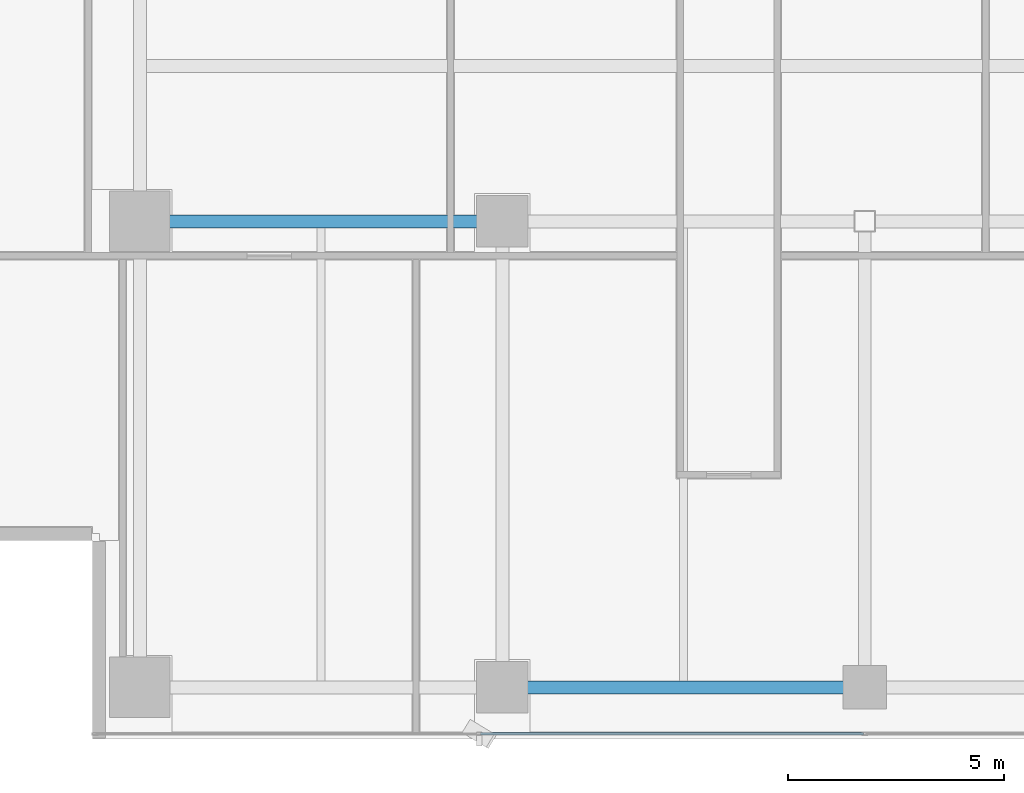
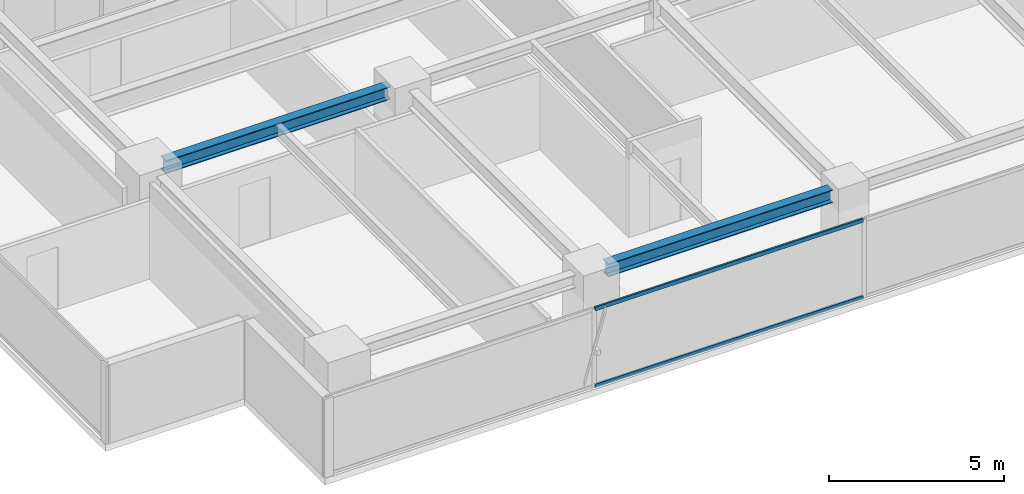
# One storey, part 5 of 26: 2 beams, 2 members, 1 element without a shape of its own.
"""IFC4 building model written with IfcOpenShell, lengths in metres."""

from ifc_helpers import new_model, si_unit, direction, frame, origin, origin_2d, place, context, subcontext, project, spatial, hollow_rectangle, i_section, extrude, source, transform, mapped, material, layer, layer_set, material_profile, profile_set, type_object, element, aggregate, save


model = new_model("IFC4")

# Units and contexts
model_context = context("Model", 3, precision=1e-05, world=origin(), true_north=direction((0.0, 1.0)))
body_context = subcontext(model_context, "Body", "Model", "MODEL_VIEW")
ifc_project = project(units=[si_unit("LENGTHUNIT", "METRE"), si_unit("AREAUNIT", "SQUARE_METRE"), si_unit("VOLUMEUNIT", "CUBIC_METRE"), si_unit("PLANEANGLEUNIT", "RADIAN"), si_unit("MASSUNIT", "GRAM", prefix="KILO")], contexts=[model_context])

# Site, building, storey
site_placement = place(None, origin())
site = spatial("IfcSite", under=ifc_project, at=site_placement, CompositionType="ELEMENT")
building_placement = place(site_placement, origin())
building = spatial("IfcBuilding", under=site, at=building_placement, Name="Sumidabori Civic Tower", CompositionType="ELEMENT")
storey_placement = place(building_placement, frame((0.0, 0.0, 250.39990234375)))
storey = spatial("IfcBuildingStorey", under=building, at=storey_placement, Name="L65", CompositionType="ELEMENT", Elevation=250.39990234375)

# Beams
ifc_material_1 = material(Name="Steel SN490", Category="steel")
ifc_material_profile_1 = material_profile(ifc_material_1, i_section(OverallWidth=0.300048828125, OverallDepth=0.449951171875, WebThickness=0.013916015625, FlangeThickness=0.02587890625, at=origin_2d()), Name="HE 450 B")
ifc_profile_set_1 = profile_set([ifc_material_profile_1], Name="Steel SN490")
beam_type = type_object("IfcBeamType", Name="BM-GIRD-450", PredefinedType="BEAM", material=ifc_profile_set_1)
shared_shape_1 = source(origin(), body_context, "Body", "SweptSolid", [
    extrude(i_section(OverallWidth=0.300048828125, OverallDepth=0.449951171875, WebThickness=0.013916015625, FlangeThickness=0.02587890625, at=origin_2d()), origin(), (0.0, 0.0, 1.0), 7.440185546875),
])
beam_1_placement = place(storey_placement, frame((-16.320068359375, 0.0, 3.14501953125), z_axis=(1.0, 0.0, 0.0), x_axis=(0.0, 1.0, 0.0)))
element("IfcBeam", 1, at=beam_1_placement, inside=storey, type_object=beam_type, Name="Primary Girder L65 GX-05", PredefinedType="BEAM", context=body_context, shape_type="MappedRepresentation", body=[
    mapped(shared_shape_1, transform((0.0, 0.0, 0.0), x_axis=(1.0, 0.0, 0.0), y_axis=(0.0, 1.0, 0.0), z_axis=(0.0, 0.0, 1.0), scale=1.0)),
])
shared_shape_2 = source(origin(), body_context, "Body", "SweptSolid", [
    extrude(i_section(OverallWidth=0.300048828125, OverallDepth=0.449951171875, WebThickness=0.013916015625, FlangeThickness=0.02587890625, at=origin_2d()), origin(), (0.0, 0.0, 1.0), 7.43994140625),
])
beam_2_placement = place(storey_placement, frame((-7.919921875, -10.800048828125, 3.14501953125), z_axis=(1.0, 0.0, 0.0), x_axis=(0.0, 1.0, 0.0)))
element("IfcBeam", 2, at=beam_2_placement, inside=storey, type_object=beam_type, Name="Primary Girder L65 GX-02", PredefinedType="BEAM", context=body_context, shape_type="MappedRepresentation", body=[
    mapped(shared_shape_2, transform((0.0, 0.0, 0.0), x_axis=(1.0, 0.0, 0.0), y_axis=(0.0, 1.0, 0.0), z_axis=(0.0, 0.0, 1.0), scale=1.0)),
])

# Curtain wall, members
ifc_material_2 = material(Name="Anodised Bronze Aluminium AW-6063-T6", Category="aluminium")
ifc_layer = layer(ifc_material_2, 0.179931640625, Name="Anodised Bronze Aluminium AW-6063-T6")
ifc_layer_set = layer_set([ifc_layer], Name="Anodised Bronze Aluminium AW-6063-T6")
curtain_wall_type = type_object("IfcCurtainWallType", Name="CW-SYS-5", PredefinedType="NOTDEFINED", material=ifc_layer_set)
curtain_wall_placement = place(storey_placement, origin())
curtain_wall = element("IfcCurtainWall", 3, at=curtain_wall_placement, inside=storey, type_object=curtain_wall_type, Name="Curtain Wall CW:L65:R01", PredefinedType="NOTDEFINED")
ifc_material_profile_2 = material_profile(ifc_material_2, hollow_rectangle(XDim=0.06005859375, YDim=0.1298828125, WallThickness=0.0048828125, at=origin_2d()), Name="ALU TRANSOM 130x60")
ifc_profile_set_2 = profile_set([ifc_material_profile_2], Name="Anodised Bronze Aluminium AW-6063-T6")
member_type = type_object("IfcMemberType", Name="CW-TRN-130", PredefinedType="USERDEFINED", material=ifc_profile_set_2)
shared_shape_3 = source(origin(), body_context, "Body", "SweptSolid", [
    extrude(hollow_rectangle(XDim=0.06005859375, YDim=0.1298828125, WallThickness=0.0048828125, at=origin_2d()), origin(), (0.0, 0.0, 1.0), 8.875),
])
member_1_placement = place(storey_placement, frame((-8.905029296875, -11.8798828125, 0.030029296875), z_axis=(1.0, 0.0, 0.0), x_axis=(0.0, 1.0, 0.0)))
member_1 = element("IfcMember", 4, at=member_1_placement, type_object=member_type, Name="CW-5 transom 2.1", ObjectType="TRANSOM", PredefinedType="USERDEFINED", context=body_context, shape_type="MappedRepresentation", body=[
    mapped(shared_shape_3, transform((0.0, 0.0, 0.0), x_axis=(1.0, 0.0, 0.0), y_axis=(0.0, 1.0, 0.0), z_axis=(0.0, 0.0, 1.0), scale=1.0)),
])
member_2_placement = place(storey_placement, frame((-8.905029296875, -11.8798828125, 2.72021484375), z_axis=(1.0, 0.0, 0.0), x_axis=(0.0, 1.0, 0.0)))
member_2 = element("IfcMember", 5, at=member_2_placement, type_object=member_type, Name="CW-5 transom 2.2", ObjectType="TRANSOM", PredefinedType="USERDEFINED", context=body_context, shape_type="MappedRepresentation", body=[
    mapped(shared_shape_3, transform((0.0, 0.0, 0.0), x_axis=(1.0, 0.0, 0.0), y_axis=(0.0, 1.0, 0.0), z_axis=(0.0, 0.0, 1.0), scale=1.0)),
])
aggregate(curtain_wall, [member_1, member_2])

save(model, "model.ifc")
